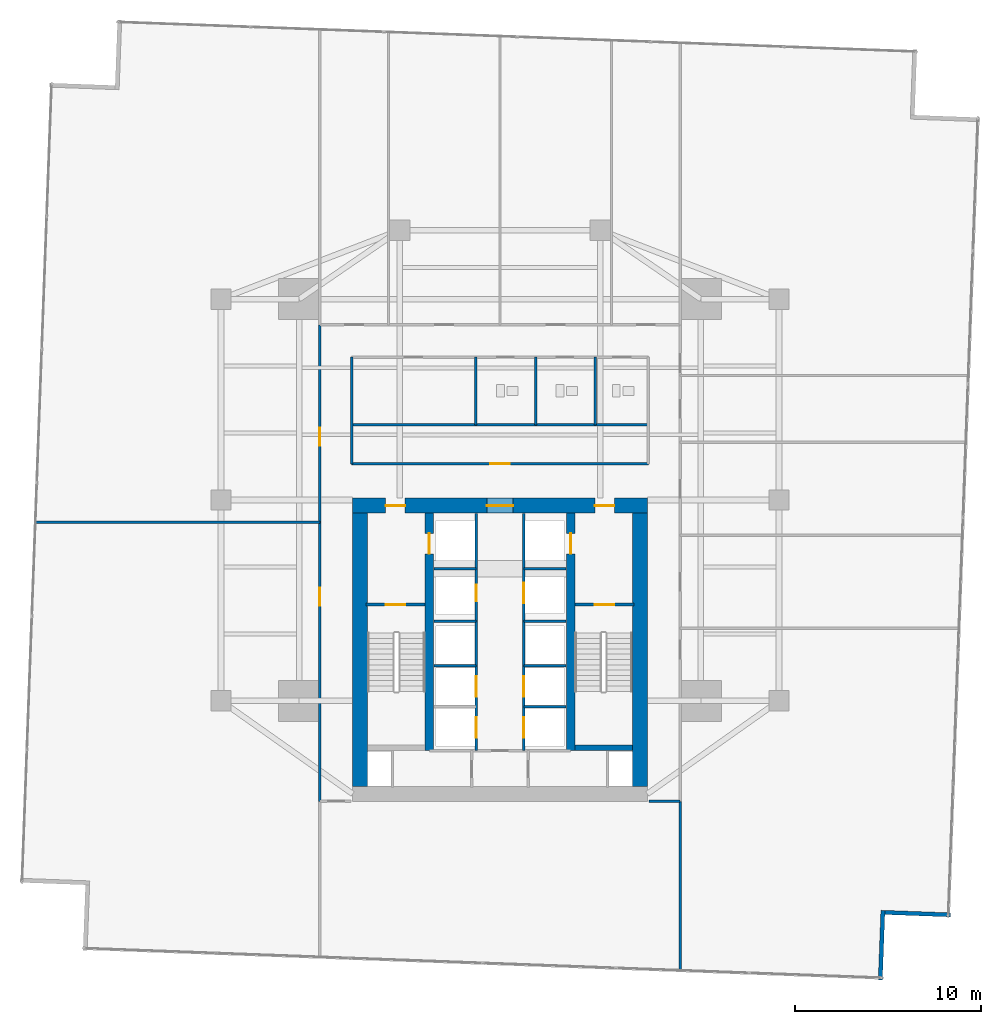
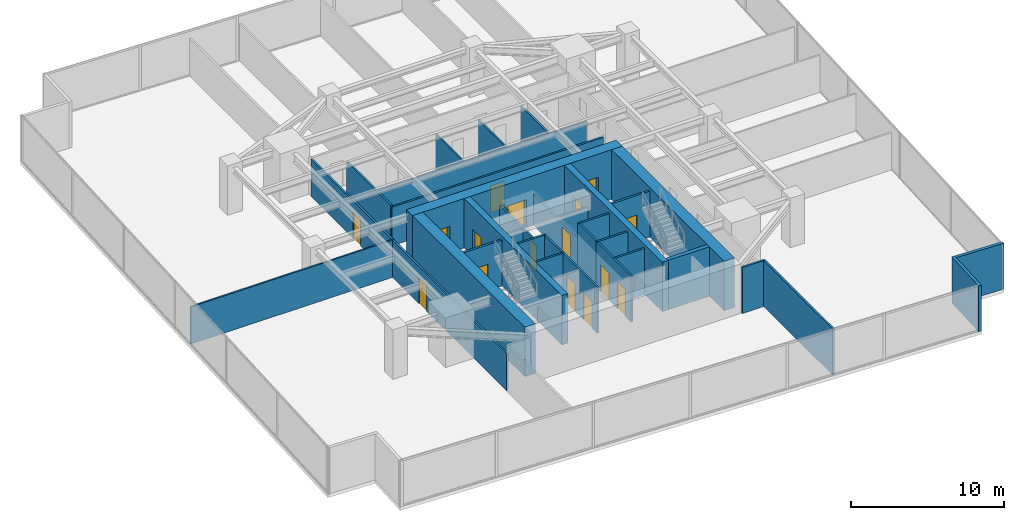
# One storey, part 27 of 30: 33 walls, 16 doors, 16 openings.
"""IFC4 building model written with IfcOpenShell, lengths in metres."""

from ifc_helpers import new_model, si_unit, direction, frame, frame_2d, origin, place, context, subcontext, project, spatial, rectangle, extrude, material, layer, layer_set, type_object, element, fill, save


model = new_model("IFC4")

# Units and contexts
model_context = context("Model", 3, precision=1e-05, world=origin(), true_north=direction((0.0, 1.0)))
body_context = subcontext(model_context, "Body", "Model", "MODEL_VIEW")
ifc_project = project(units=[si_unit("LENGTHUNIT", "METRE"), si_unit("AREAUNIT", "SQUARE_METRE"), si_unit("VOLUMEUNIT", "CUBIC_METRE"), si_unit("PLANEANGLEUNIT", "RADIAN"), si_unit("MASSUNIT", "GRAM", prefix="KILO")], contexts=[model_context])

# Site, building, storey
site_placement = place(None, origin())
site = spatial("IfcSite", under=ifc_project, at=site_placement, CompositionType="ELEMENT")
building_placement = place(site_placement, origin())
building = spatial("IfcBuilding", under=site, at=building_placement, Name="Krantzveldt Concourse Tower", CompositionType="ELEMENT")
storey_placement = place(building_placement, frame((0.0, 0.0, 40.800048828125)))
storey = spatial("IfcBuildingStorey", under=building, at=storey_placement, Name="L09", CompositionType="ELEMENT", Elevation=40.800048828125)

# Walls
ifc_material_1 = material(Name="Anodised aluminium 6063-T6", Category="aluminium")
ifc_layer_1 = layer(ifc_material_1, 0.219970703125, Name="Anodised aluminium 6063-T6", Category="aluminium")
ifc_layer_set_1 = layer_set([ifc_layer_1], Name="Anodised aluminium 6063-T6 (WL-EXT-NOTCH220)")
wall_type_1 = type_object("IfcWallType", Name="WL-EXT-NOTCH220", PredefinedType="ELEMENTEDWALL", material=ifc_layer_set_1)
wall_1_placement = place(storey_placement, frame((56.447265625, 0.899169921875, 0.0), z_axis=(0.0, 0.0, 1.0), x_axis=(0.037093640215, 0.999311794114, 0.0)))
element("IfcWall", 1, at=wall_1_placement, inside=storey, type_object=wall_type_1, Name="EW-L09-NCH05", PredefinedType="ELEMENTEDWALL", context=body_context, shape_type="SweptSolid", body=[
    extrude(rectangle(XDim=3.7451171875, YDim=0.219970703125, at=frame_2d((1.87255859375, 0.0))), origin(), (0.0, 0.0, 1.0), 3.669921875),
])
wall_2_placement = place(storey_placement, frame((56.692138671875, 4.527587890625, 0.0), z_axis=(0.0, 0.0, 1.0), x_axis=(0.99931065272, -0.037124376896, 0.0)))
element("IfcWall", 2, at=wall_2_placement, inside=storey, type_object=wall_type_1, Name="EW-L09-NCH06", PredefinedType="ELEMENTEDWALL", context=body_context, shape_type="SweptSolid", body=[
    extrude(rectangle(XDim=3.52490234375, YDim=0.219970703125, at=frame_2d((1.762451171875, 0.0))), origin(), (0.0, 0.0, 1.0), 3.669921875),
])
ifc_material_2 = material(Name="Fire-rated gypsum plasterboard on steel stud", Category="steel")
ifc_layer_2 = layer(ifc_material_2, 0.1201171875, Name="Fire-rated gypsum plasterboard on steel stud", Category="steel")
ifc_layer_set_2 = layer_set([ifc_layer_2], Name="Fire-rated gypsum plasterboard on steel stud (WL-PART-120)")
wall_type_2 = type_object("IfcWallType", Name="WL-PART-120", PredefinedType="PARTITIONING", material=ifc_layer_set_2)
wall_3_placement = place(storey_placement, frame((28.02001953125, 30.739990234375, 0.0), z_axis=(0.0, 0.0, 1.0), x_axis=(1.0, 0.0, 0.0)))
element("IfcWall", 3, at=wall_3_placement, inside=storey, type_object=wall_type_2, Name="WP-L09-ISLM", PredefinedType="PARTITIONING", context=body_context, shape_type="SweptSolid", body=[
    extrude(rectangle(XDim=15.9599609375, YDim=0.1201171875, at=frame_2d((7.97998046875, 0.0))), origin(), (0.0, 0.0, 1.0), 3.079833984375),
])
for number, where, z_axis, x_axis, name in (
    (4, (37.919921875, 30.739990234375, 0.0), (0.0, 0.0, 1.0), (0.0, 1.0, 0.0), "WP-L09-WCD1"),
    (5, (41.1201171875, 30.739990234375, 0.0), (0.0, 0.0, 1.0), (0.0, 1.0, 0.0), "WP-L09-WCD2"),
    (6, (34.699951171875, 30.739990234375, 0.0), (0.0, 0.0, 1.0), (0.0, 1.0, 0.0), "WP-L09-WCD3"),
):
    element("IfcWall", number, at=place(storey_placement, frame(where, z_axis=z_axis, x_axis=x_axis)), inside=storey, type_object=wall_type_2, Name=name, PredefinedType="PARTITIONING", context=body_context, shape_type="SweptSolid", body=[
        extrude(rectangle(XDim=3.639892578125, YDim=0.1201171875, at=frame_2d((1.81982421875, 0.0))), origin(), (0.0, 0.0, 1.0), 3.119873046875),
    ])
wall_4_placement = place(storey_placement, frame((11.0283203125, 25.5, 0.0), z_axis=(0.0, 0.0, 1.0), x_axis=(1.0, 0.0, 0.0)))
element("IfcWall", 7, at=wall_4_placement, inside=storey, type_object=wall_type_2, Name="WP-L09-WD1", PredefinedType="PARTITIONING", context=body_context, shape_type="SweptSolid", body=[
    extrude(rectangle(XDim=15.291748046875, YDim=0.1201171875, at=frame_2d((7.64599609375, 0.0))), origin(), (0.0, 0.0, 1.0), 2.969970703125),
])

# Wall, opening, door
ifc_layer_3 = layer(ifc_material_2, 0.139892578125, Name="Fire-rated gypsum plasterboard on steel stud", Category="steel")
ifc_layer_set_3 = layer_set([ifc_layer_3], Name="Fire-rated gypsum plasterboard on steel stud (WL-PART-140)")
wall_type_3 = type_object("IfcWallType", Name="WL-PART-140", PredefinedType="PARTITIONING", material=ifc_layer_set_3)
wall_5_placement = place(storey_placement, frame((28.02001953125, 28.639892578125, 0.0), z_axis=(0.0, 0.0, 1.0), x_axis=(1.0, 0.0, 0.0)))
wall_5 = element("IfcWall", 8, at=wall_5_placement, inside=storey, type_object=wall_type_3, Name="WP-L09-ISLS", PredefinedType="PARTITIONING", context=body_context, shape_type="SweptSolid", body=[
    extrude(rectangle(XDim=15.9599609375, YDim=0.139892578125, at=frame_2d((7.97998046875, 0.0))), origin(), (0.0, 0.0, 1.0), 3.079833984375),
])
opening_1_placement = place(wall_5_placement, frame((7.455078125, 0.0, 0.0)))
opening_1 = element("IfcOpeningElement", 9, at=opening_1_placement, cuts=wall_5, Name="Opening D-IN105", PredefinedType="OPENING", context=body_context, shape_type="SweptSolid", body=[
    extrude(rectangle(XDim=1.050048828125, YDim=2.14990234375, at=frame_2d((0.52490234375, 1.074951171875))), frame((0.0, 0.080078125, 0.0), z_axis=(0.0, -1.0, 0.0), x_axis=(1.0, 0.0, 0.0)), (0.0, 0.0, 1.0), 0.159912109375),
])
ifc_material_3 = material(Name="Hardwood timber", Category="wood")
door_type_1 = type_object("IfcDoorType", Name="DR-INT-1050", OperationType="SINGLE_SWING_LEFT", PredefinedType="DOOR", material=ifc_material_3)
door_1_placement = place(opening_1_placement, origin())
door_1 = element("IfcDoor", 10, at=door_1_placement, inside=storey, type_object=door_type_1, Name="DR-L09-MIDB", OperationType="SINGLE_SWING_LEFT", OverallHeight=2.14990234375, OverallWidth=1.050048828125, PredefinedType="DOOR", context=body_context, shape_type="SweptSolid", body=[
    extrude(rectangle(XDim=1.050048828125, YDim=2.14990234375, at=frame_2d((0.52490234375, 1.074951171875))), frame((0.0, 0.02490234375, 0.0), z_axis=(0.0, -1.0, 0.0), x_axis=(1.0, 0.0, 0.0)), (0.0, 0.0, 1.0), 0.050048828125),
])
fill(opening_1, door_1)

# Wall
wall_6_placement = place(storey_placement, frame((28.02001953125, 28.639892578125, 0.0), z_axis=(0.0, 0.0, 1.0), x_axis=(0.0, 1.0, 0.0)))
element("IfcWall", 11, at=wall_6_placement, inside=storey, type_object=wall_type_3, Name="WP-L09-ISLW", PredefinedType="PARTITIONING", context=body_context, shape_type="SweptSolid", body=[
    extrude(rectangle(XDim=5.739990234375, YDim=0.139892578125, at=frame_2d((2.8701171875, 0.0))), origin(), (0.0, 0.0, 1.0), 3.219970703125),
])

# Wall, openings, doors
wall_7_placement = place(storey_placement, frame((26.320068359375, 10.5, 0.0), z_axis=(0.0, 0.0, 1.0), x_axis=(0.0, 1.0, 0.0)))
wall_7 = element("IfcWall", 12, at=wall_7_placement, inside=storey, type_object=wall_type_3, Name="WP-L09-CWEST", PredefinedType="PARTITIONING", context=body_context, shape_type="SweptSolid", body=[
    extrude(rectangle(XDim=25.6201171875, YDim=0.139892578125, at=frame_2d((12.81005859375, 0.0))), origin(), (0.0, 0.0, 1.0), 2.969970703125),
])
opening_2_placement = place(wall_7_placement, frame((10.52490234375, 0.0, 0.0)))
opening_2 = element("IfcOpeningElement", 13, at=opening_2_placement, cuts=wall_7, Name="Opening D-IN095", PredefinedType="OPENING", context=body_context, shape_type="SweptSolid", body=[
    extrude(rectangle(XDim=0.949951171875, YDim=2.10009765625, at=frame_2d((0.47509765625, 1.050048828125))), frame((0.0, 0.080078125, 0.0), z_axis=(0.0, -1.0, 0.0), x_axis=(1.0, 0.0, 0.0)), (0.0, 0.0, 1.0), 0.159912109375),
])
opening_3_placement = place(wall_7_placement, frame((19.125, 0.0, 0.0)))
opening_3 = element("IfcOpeningElement", 14, at=opening_3_placement, cuts=wall_7, Name="Opening D-IN095", PredefinedType="OPENING", context=body_context, shape_type="SweptSolid", body=[
    extrude(rectangle(XDim=0.949951171875, YDim=2.10009765625, at=frame_2d((0.47509765625, 1.050048828125))), frame((0.0, 0.080078125, 0.0), z_axis=(0.0, -1.0, 0.0), x_axis=(1.0, 0.0, 0.0)), (0.0, 0.0, 1.0), 0.159912109375),
])
door_type_2 = type_object("IfcDoorType", Name="DR-INT-950", OperationType="SINGLE_SWING_LEFT", PredefinedType="DOOR", material=ifc_material_3)
door_2_placement = place(opening_2_placement, origin())
door_2 = element("IfcDoor", 15, at=door_2_placement, inside=storey, type_object=door_type_2, Name="DR-L09-WR1", OperationType="SINGLE_SWING_LEFT", OverallHeight=2.10009765625, OverallWidth=0.949951171875, PredefinedType="DOOR", context=body_context, shape_type="SweptSolid", body=[
    extrude(rectangle(XDim=0.949951171875, YDim=2.10009765625, at=frame_2d((0.47509765625, 1.050048828125))), frame((0.0, 0.02490234375, 0.0), z_axis=(0.0, -1.0, 0.0), x_axis=(1.0, 0.0, 0.0)), (0.0, 0.0, 1.0), 0.050048828125),
])
fill(opening_2, door_2)
door_3_placement = place(opening_3_placement, origin())
door_3 = element("IfcDoor", 16, at=door_3_placement, inside=storey, type_object=door_type_2, Name="DR-L09-WR2", OperationType="SINGLE_SWING_LEFT", OverallHeight=2.10009765625, OverallWidth=0.949951171875, PredefinedType="DOOR", context=body_context, shape_type="SweptSolid", body=[
    extrude(rectangle(XDim=0.949951171875, YDim=2.10009765625, at=frame_2d((0.47509765625, 1.050048828125))), frame((0.0, 0.02490234375, 0.0), z_axis=(0.0, -1.0, 0.0), x_axis=(1.0, 0.0, 0.0)), (0.0, 0.0, 1.0), 0.050048828125),
])
fill(opening_3, door_3)

# Walls
wall_8_placement = place(storey_placement, frame((44.0, 10.5, 0.0), z_axis=(0.0, 0.0, 1.0), x_axis=(1.0, 0.0, 0.0)))
element("IfcWall", 17, at=wall_8_placement, inside=storey, type_object=wall_type_3, Name="WP-L09-CEBOT", PredefinedType="PARTITIONING", context=body_context, shape_type="SweptSolid", body=[
    extrude(rectangle(XDim=1.679931640625, YDim=0.139892578125, at=frame_2d((0.83984375, 0.0))), origin(), (0.0, 0.0, 1.0), 3.669921875),
])
wall_9_placement = place(storey_placement, frame((45.679931640625, 1.413818359375, 0.0), z_axis=(0.0, 0.0, 1.0), x_axis=(0.0, 1.0, 0.0)))
element("IfcWall", 18, at=wall_9_placement, inside=storey, type_object=wall_type_3, Name="WP-L09-SER", PredefinedType="PARTITIONING", context=body_context, shape_type="SweptSolid", body=[
    extrude(rectangle(XDim=9.086181640625, YDim=0.139892578125, at=frame_2d((4.54296875, 0.0))), origin(), (0.0, 0.0, 1.0), 3.669921875),
])

# Wall, opening, door
ifc_layer_4 = layer(ifc_material_2, 0.139892578125, Name="Fire-rated gypsum plasterboard on steel stud", Category="steel")
ifc_layer_set_4 = layer_set([ifc_layer_4], Name="Fire-rated gypsum plasterboard on steel stud (WL-PART-FR140)")
wall_type_4 = type_object("IfcWallType", Name="WL-PART-FR140", PredefinedType="PARTITIONING", material=ifc_layer_set_4)
wall_10_placement = place(storey_placement, frame((34.719970703125, 20.199951171875, 0.0), z_axis=(0.0, 0.0, 1.0), x_axis=(0.0, 1.0, 0.0)))
wall_10 = element("IfcWall", 19, at=wall_10_placement, inside=storey, type_object=wall_type_4, Name="WP-L09-SHNW", PredefinedType="PARTITIONING", context=body_context, shape_type="SweptSolid", body=[
    extrude(rectangle(XDim=5.780029296875, YDim=0.139892578125, at=frame_2d((2.89013671875, 0.0))), origin(), (0.0, 0.0, 1.0), 2.469970703125),
])
opening_4_placement = place(wall_10_placement, frame((1.050048828125, 0.0, 0.0)))
opening_4 = element("IfcOpeningElement", 20, at=opening_4_placement, cuts=wall_10, Name="Opening D-FD090", PredefinedType="OPENING", context=body_context, shape_type="SweptSolid", body=[
    extrude(rectangle(XDim=0.89990234375, YDim=2.10009765625, at=frame_2d((0.449951171875, 1.050048828125))), frame((0.0, 0.080078125, 0.0), z_axis=(0.0, -1.0, 0.0), x_axis=(1.0, 0.0, 0.0)), (0.0, 0.0, 1.0), 0.159912109375),
])
door_type_3 = type_object("IfcDoorType", Name="DR-FD60-900", OperationType="SINGLE_SWING_LEFT", PredefinedType="DOOR", material=ifc_material_3)
door_4_placement = place(opening_4_placement, origin())
door_4 = element("IfcDoor", 21, at=door_4_placement, inside=storey, type_object=door_type_3, Name="Electrical Riser Access Door L09", OperationType="SINGLE_SWING_LEFT", OverallHeight=2.10009765625, OverallWidth=0.89990234375, PredefinedType="DOOR", context=body_context, shape_type="SweptSolid", body=[
    extrude(rectangle(XDim=0.89990234375, YDim=2.10009765625, at=frame_2d((0.449951171875, 1.050048828125))), frame((0.0, 0.02490234375, 0.0), z_axis=(0.0, -1.0, 0.0), x_axis=(1.0, 0.0, 0.0)), (0.0, 0.0, 1.0), 0.050048828125),
])
fill(opening_4, door_4)

wall_11_placement = place(storey_placement, frame((37.280029296875, 20.199951171875, 0.0), z_axis=(0.0, 0.0, 1.0), x_axis=(0.0, 1.0, 0.0)))
wall_11 = element("IfcWall", 22, at=wall_11_placement, inside=storey, type_object=wall_type_4, Name="WP-L09-SHNE", PredefinedType="PARTITIONING", context=body_context, shape_type="SweptSolid", body=[
    extrude(rectangle(XDim=5.780029296875, YDim=0.139892578125, at=frame_2d((2.89013671875, 0.0))), origin(), (0.0, 0.0, 1.0), 2.469970703125),
])
opening_5_placement = place(wall_11_placement, frame((0.949951171875, 0.0, 0.0)))
opening_5 = element("IfcOpeningElement", 23, at=opening_5_placement, cuts=wall_11, Name="Opening LD", PredefinedType="OPENING", context=body_context, shape_type="SweptSolid", body=[
    extrude(rectangle(XDim=1.10009765625, YDim=2.14990234375, at=frame_2d((0.550048828125, 1.074951171875))), frame((0.0, 0.080078125, 0.0), z_axis=(0.0, -1.0, 0.0), x_axis=(1.0, 0.0, 0.0)), (0.0, 0.0, 1.0), 0.159912109375),
])
ifc_material_4 = material(Name="Stainless steel 316L", Category="steel")
door_type_4 = type_object("IfcDoorType", Name="DR-SLIDE-LD1100", OperationType="DOUBLE_DOOR_SLIDING", PredefinedType="DOOR", material=ifc_material_4)
door_5_placement = place(opening_5_placement, origin())
door_5 = element("IfcDoor", 24, at=door_5_placement, inside=storey, type_object=door_type_4, Name="LD-L09-GL1", OperationType="DOUBLE_DOOR_SLIDING", OverallHeight=2.14990234375, OverallWidth=1.10009765625, PredefinedType="DOOR", context=body_context, shape_type="SweptSolid", body=[
    extrude(rectangle(XDim=1.10009765625, YDim=2.14990234375, at=frame_2d((0.550048828125, 1.074951171875))), frame((0.0, 0.02490234375, 0.0), z_axis=(0.0, -1.0, 0.0), x_axis=(1.0, 0.0, 0.0)), (0.0, 0.0, 1.0), 0.050048828125),
])
fill(opening_5, door_5)

# Walls
for number, where, z_axis, x_axis, name in (
    (25, (32.449951171875, 23.0, 0.0), (0.0, 0.0, 1.0), (1.0, 0.0, 0.0), "WP-L09-RISH"),
    (26, (37.280029296875, 23.0, 0.0), (0.0, 0.0, 1.0), (1.0, 0.0, 0.0), "WP-L09-GLH"),
):
    element("IfcWall", number, at=place(storey_placement, frame(where, z_axis=z_axis, x_axis=x_axis)), inside=storey, type_object=wall_type_4, Name=name, PredefinedType="PARTITIONING", context=body_context, shape_type="SweptSolid", body=[
        extrude(rectangle(XDim=2.27001953125, YDim=0.139892578125, at=frame_2d((1.135009765625, 0.0))), origin(), (0.0, 0.0, 1.0), 2.469970703125),
    ])
for number, where, z_axis, x_axis, name in (
    (27, (34.719970703125, 17.780029296875, 0.0), (0.0, 0.0, 1.0), (0.0, 1.0, 0.0), "WP-L09-SHNW2"),
    (28, (37.280029296875, 17.780029296875, 0.0), (0.0, 0.0, 1.0), (0.0, 1.0, 0.0), "WP-L09-SHNE2"),
):
    element("IfcWall", number, at=place(storey_placement, frame(where, z_axis=z_axis, x_axis=x_axis)), inside=storey, type_object=wall_type_4, Name=name, PredefinedType="PARTITIONING", context=body_context, shape_type="SweptSolid", body=[
        extrude(rectangle(XDim=2.419921875, YDim=0.139892578125, at=frame_2d((1.2099609375, 0.0))), origin(), (0.0, 0.0, 1.0), 3.669921875),
    ])
for number, where, z_axis, x_axis, name in (
    (29, (32.449951171875, 17.780029296875, 0.0), (0.0, 0.0, 1.0), (1.0, 0.0, 0.0), "WP-L09-DIVW2"),
    (30, (32.449951171875, 20.179931640625, 0.0), (0.0, 0.0, 1.0), (1.0, 0.0, 0.0), "WP-L09-DIVW3"),
    (31, (37.280029296875, 17.780029296875, 0.0), (0.0, 0.0, 1.0), (1.0, 0.0, 0.0), "WP-L09-DIVE2"),
    (32, (37.280029296875, 20.179931640625, 0.0), (0.0, 0.0, 1.0), (1.0, 0.0, 0.0), "WP-L09-DIVE3"),
):
    element("IfcWall", number, at=place(storey_placement, frame(where, z_axis=z_axis, x_axis=x_axis)), inside=storey, type_object=wall_type_4, Name=name, PredefinedType="PARTITIONING", context=body_context, shape_type="SweptSolid", body=[
        extrude(rectangle(XDim=2.27001953125, YDim=0.139892578125, at=frame_2d((1.135009765625, 0.0))), origin(), (0.0, 0.0, 1.0), 3.669921875),
    ])

# Wall, openings, doors
wall_12_placement = place(storey_placement, frame((34.719970703125, 13.219970703125, 0.0), z_axis=(0.0, 0.0, 1.0), x_axis=(0.0, 1.0, 0.0)))
wall_12 = element("IfcWall", 33, at=wall_12_placement, inside=storey, type_object=wall_type_4, Name="WP-L09-SHSW", PredefinedType="PARTITIONING", context=body_context, shape_type="SweptSolid", body=[
    extrude(rectangle(XDim=4.56005859375, YDim=0.139892578125, at=frame_2d((2.280029296875, 0.0))), origin(), (0.0, 0.0, 1.0), 3.669921875),
])
opening_6_placement = place(wall_12_placement, frame((0.7099609375, 0.0, 0.0)))
opening_6 = element("IfcOpeningElement", 34, at=opening_6_placement, cuts=wall_12, Name="Opening LD", PredefinedType="OPENING", context=body_context, shape_type="SweptSolid", body=[
    extrude(rectangle(XDim=1.10009765625, YDim=2.14990234375, at=frame_2d((0.550048828125, 1.074951171875))), frame((0.0, 0.080078125, 0.0), z_axis=(0.0, -1.0, 0.0), x_axis=(1.0, 0.0, 0.0)), (0.0, 0.0, 1.0), 0.159912109375),
])
opening_7_placement = place(wall_12_placement, frame((2.909912109375, 0.0, 0.0)))
opening_7 = element("IfcOpeningElement", 35, at=opening_7_placement, cuts=wall_12, Name="Opening LD", PredefinedType="OPENING", context=body_context, shape_type="SweptSolid", body=[
    extrude(rectangle(XDim=1.10009765625, YDim=2.14990234375, at=frame_2d((0.550048828125, 1.074951171875))), frame((0.0, 0.080078125, 0.0), z_axis=(0.0, -1.0, 0.0), x_axis=(1.0, 0.0, 0.0)), (0.0, 0.0, 1.0), 0.159912109375),
])
door_6_placement = place(opening_6_placement, origin())
door_6 = element("IfcDoor", 36, at=door_6_placement, inside=storey, type_object=door_type_4, Name="LD-L09-PL1", OperationType="DOUBLE_DOOR_SLIDING", OverallHeight=2.14990234375, OverallWidth=1.10009765625, PredefinedType="DOOR", context=body_context, shape_type="SweptSolid", body=[
    extrude(rectangle(XDim=1.10009765625, YDim=2.14990234375, at=frame_2d((0.550048828125, 1.074951171875))), frame((0.0, 0.02490234375, 0.0), z_axis=(0.0, -1.0, 0.0), x_axis=(1.0, 0.0, 0.0)), (0.0, 0.0, 1.0), 0.050048828125),
])
fill(opening_6, door_6)
door_7_placement = place(opening_7_placement, origin())
door_7 = element("IfcDoor", 37, at=door_7_placement, inside=storey, type_object=door_type_4, Name="LD-L09-PL2", OperationType="DOUBLE_DOOR_SLIDING", OverallHeight=2.14990234375, OverallWidth=1.10009765625, PredefinedType="DOOR", context=body_context, shape_type="SweptSolid", body=[
    extrude(rectangle(XDim=1.10009765625, YDim=2.14990234375, at=frame_2d((0.550048828125, 1.074951171875))), frame((0.0, 0.02490234375, 0.0), z_axis=(0.0, -1.0, 0.0), x_axis=(1.0, 0.0, 0.0)), (0.0, 0.0, 1.0), 0.050048828125),
])
fill(opening_7, door_7)

wall_13_placement = place(storey_placement, frame((37.280029296875, 13.219970703125, 0.0), z_axis=(0.0, 0.0, 1.0), x_axis=(0.0, 1.0, 0.0)))
wall_13 = element("IfcWall", 38, at=wall_13_placement, inside=storey, type_object=wall_type_4, Name="WP-L09-SHSE", PredefinedType="PARTITIONING", context=body_context, shape_type="SweptSolid", body=[
    extrude(rectangle(XDim=4.56005859375, YDim=0.139892578125, at=frame_2d((2.280029296875, 0.0))), origin(), (0.0, 0.0, 1.0), 3.669921875),
])
opening_8_placement = place(wall_13_placement, frame((0.7099609375, 0.0, 0.0)))
opening_8 = element("IfcOpeningElement", 39, at=opening_8_placement, cuts=wall_13, Name="Opening LD", PredefinedType="OPENING", context=body_context, shape_type="SweptSolid", body=[
    extrude(rectangle(XDim=1.10009765625, YDim=2.14990234375, at=frame_2d((0.550048828125, 1.074951171875))), frame((0.0, 0.080078125, 0.0), z_axis=(0.0, -1.0, 0.0), x_axis=(1.0, 0.0, 0.0)), (0.0, 0.0, 1.0), 0.159912109375),
])
opening_9_placement = place(wall_13_placement, frame((2.909912109375, 0.0, 0.0)))
opening_9 = element("IfcOpeningElement", 40, at=opening_9_placement, cuts=wall_13, Name="Opening LD", PredefinedType="OPENING", context=body_context, shape_type="SweptSolid", body=[
    extrude(rectangle(XDim=1.10009765625, YDim=2.14990234375, at=frame_2d((0.550048828125, 1.074951171875))), frame((0.0, 0.080078125, 0.0), z_axis=(0.0, -1.0, 0.0), x_axis=(1.0, 0.0, 0.0)), (0.0, 0.0, 1.0), 0.159912109375),
])
door_8_placement = place(opening_8_placement, origin())
door_8 = element("IfcDoor", 41, at=door_8_placement, inside=storey, type_object=door_type_4, Name="LD-L09-PM1", OperationType="DOUBLE_DOOR_SLIDING", OverallHeight=2.14990234375, OverallWidth=1.10009765625, PredefinedType="DOOR", context=body_context, shape_type="SweptSolid", body=[
    extrude(rectangle(XDim=1.10009765625, YDim=2.14990234375, at=frame_2d((0.550048828125, 1.074951171875))), frame((0.0, 0.02490234375, 0.0), z_axis=(0.0, -1.0, 0.0), x_axis=(1.0, 0.0, 0.0)), (0.0, 0.0, 1.0), 0.050048828125),
])
fill(opening_8, door_8)
door_9_placement = place(opening_9_placement, origin())
door_9 = element("IfcDoor", 42, at=door_9_placement, inside=storey, type_object=door_type_4, Name="LD-L09-PM2", OperationType="DOUBLE_DOOR_SLIDING", OverallHeight=2.14990234375, OverallWidth=1.10009765625, PredefinedType="DOOR", context=body_context, shape_type="SweptSolid", body=[
    extrude(rectangle(XDim=1.10009765625, YDim=2.14990234375, at=frame_2d((0.550048828125, 1.074951171875))), frame((0.0, 0.02490234375, 0.0), z_axis=(0.0, -1.0, 0.0), x_axis=(1.0, 0.0, 0.0)), (0.0, 0.0, 1.0), 0.050048828125),
])
fill(opening_9, door_9)

# Wall
wall_14_placement = place(storey_placement, frame((37.280029296875, 15.580078125, 0.0), z_axis=(0.0, 0.0, 1.0), x_axis=(1.0, 0.0, 0.0)))
element("IfcWall", 43, at=wall_14_placement, inside=storey, type_object=wall_type_4, Name="WP-L09-DIVE1", PredefinedType="PARTITIONING", context=body_context, shape_type="SweptSolid", body=[
    extrude(rectangle(XDim=2.27001953125, YDim=0.139892578125, at=frame_2d((1.135009765625, 0.0))), origin(), (0.0, 0.0, 1.0), 3.669921875),
])

# Wall, opening, door
ifc_layer_5 = layer(ifc_material_2, 0.159912109375, Name="Fire-rated gypsum plasterboard on steel stud", Category="steel")
ifc_layer_set_5 = layer_set([ifc_layer_5], Name="Fire-rated gypsum plasterboard on steel stud (WL-PART-FR160)")
wall_type_5 = type_object("IfcWallType", Name="WL-PART-FR160", PredefinedType="PARTITIONING", material=ifc_layer_set_5)
wall_15_placement = place(storey_placement, frame((28.800048828125, 21.080078125, 0.0), z_axis=(0.0, 0.0, 1.0), x_axis=(1.0, 0.0, 0.0)))
wall_15 = element("IfcWall", 44, at=wall_15_placement, inside=storey, type_object=wall_type_5, Name="WP-L09-ST1", PredefinedType="PARTITIONING", context=body_context, shape_type="SweptSolid", body=[
    extrude(rectangle(XDim=3.159912109375, YDim=0.159912109375, at=frame_2d((1.580078125, 0.0))), origin(), (0.0, 0.0, 1.0), 3.669921875),
])
opening_10_placement = place(wall_15_placement, frame((1.054931640625, 0.0, 0.0)))
opening_10 = element("IfcOpeningElement", 45, at=opening_10_placement, cuts=wall_15, Name="Opening D-FD105", PredefinedType="OPENING", context=body_context, shape_type="SweptSolid", body=[
    extrude(rectangle(XDim=1.050048828125, YDim=2.10009765625, at=frame_2d((0.52490234375, 1.050048828125))), frame((0.0, 0.08984375, 0.0), z_axis=(0.0, -1.0, 0.0), x_axis=(1.0, 0.0, 0.0)), (0.0, 0.0, 1.0), 0.179931640625),
])
ifc_material_5 = material(Name="Galvanised steel", Category="steel")
door_type_5 = type_object("IfcDoorType", Name="DR-FD120-1050", OperationType="SINGLE_SWING_LEFT", PredefinedType="DOOR", material=ifc_material_5)
door_10_placement = place(opening_10_placement, origin())
door_10 = element("IfcDoor", 46, at=door_10_placement, inside=storey, type_object=door_type_5, Name="DR-L09-ST1", OperationType="SINGLE_SWING_RIGHT", OverallHeight=2.10009765625, OverallWidth=1.050048828125, PredefinedType="DOOR", context=body_context, shape_type="SweptSolid", body=[
    extrude(rectangle(XDim=1.050048828125, YDim=2.10009765625, at=frame_2d((0.52490234375, 1.050048828125))), frame((0.0, 0.02490234375, 0.0), z_axis=(0.0, -1.0, 0.0), x_axis=(1.0, 0.0, 0.0)), (0.0, 0.0, 1.0), 0.050048828125),
])
fill(opening_10, door_10)

wall_16_placement = place(storey_placement, frame((40.0400390625, 21.080078125, 0.0), z_axis=(0.0, 0.0, 1.0), x_axis=(1.0, 0.0, 0.0)))
wall_16 = element("IfcWall", 47, at=wall_16_placement, inside=storey, type_object=wall_type_5, Name="WP-L09-ST2", PredefinedType="PARTITIONING", context=body_context, shape_type="SweptSolid", body=[
    extrude(rectangle(XDim=3.159912109375, YDim=0.159912109375, at=frame_2d((1.580078125, 0.0))), origin(), (0.0, 0.0, 1.0), 3.669921875),
])
opening_11_placement = place(wall_16_placement, frame((1.054931640625, 0.0, 0.0)))
opening_11 = element("IfcOpeningElement", 48, at=opening_11_placement, cuts=wall_16, Name="Opening D-FD105", PredefinedType="OPENING", context=body_context, shape_type="SweptSolid", body=[
    extrude(rectangle(XDim=1.050048828125, YDim=2.10009765625, at=frame_2d((0.52490234375, 1.050048828125))), frame((0.0, 0.08984375, 0.0), z_axis=(0.0, -1.0, 0.0), x_axis=(1.0, 0.0, 0.0)), (0.0, 0.0, 1.0), 0.179931640625),
])
door_11_placement = place(opening_11_placement, origin())
door_11 = element("IfcDoor", 49, at=door_11_placement, inside=storey, type_object=door_type_5, Name="DR-L09-ST2", OperationType="SINGLE_SWING_LEFT", OverallHeight=2.10009765625, OverallWidth=1.050048828125, PredefinedType="DOOR", context=body_context, shape_type="SweptSolid", body=[
    extrude(rectangle(XDim=1.050048828125, YDim=2.10009765625, at=frame_2d((0.52490234375, 1.050048828125))), frame((0.0, 0.02490234375, 0.0), z_axis=(0.0, -1.0, 0.0), x_axis=(1.0, 0.0, 0.0)), (0.0, 0.0, 1.0), 0.050048828125),
])
fill(opening_11, door_11)

# Wall
ifc_material_6 = material(Name="Concrete C50/60", Category="concrete")
ifc_layer_6 = layer(ifc_material_6, 0.300048828125, Name="Concrete C50/60", Category="concrete")
ifc_layer_set_6 = layer_set([ifc_layer_6], Name="Concrete C50/60 (WL-SHEAR-300)")
wall_type_6 = type_object("IfcWallType", Name="WL-SHEAR-300", PredefinedType="SHEAR", material=ifc_layer_set_6)
wall_17_placement = place(storey_placement, frame((40.02001953125, 13.3701171875, 0.0), z_axis=(0.0, 0.0, 1.0), x_axis=(1.0, 0.0, 0.0)))
element("IfcWall", 50, at=wall_17_placement, inside=storey, type_object=wall_type_6, Name="CW-L09-ST2S", PredefinedType="SHEAR", context=body_context, shape_type="SweptSolid", body=[
    extrude(rectangle(XDim=3.10009765625, YDim=0.300048828125, at=frame_2d((1.550048828125, 0.0))), origin(), (0.0, 0.0, 1.0), 3.949951171875),
])

# Wall, opening, door
ifc_layer_7 = layer(ifc_material_6, 0.449951171875, Name="Concrete C50/60", Category="concrete")
ifc_layer_set_7 = layer_set([ifc_layer_7], Name="Concrete C50/60 (WL-SHEAR-450)")
wall_type_7 = type_object("IfcWallType", Name="WL-SHEAR-450", PredefinedType="SHEAR", material=ifc_layer_set_7)
wall_18_placement = place(storey_placement, frame((32.205078125, 13.219970703125, 0.0), z_axis=(0.0, 0.0, 1.0), x_axis=(0.0, 1.0, 0.0)))
wall_18 = element("IfcWall", 51, at=wall_18_placement, inside=storey, type_object=wall_type_7, Name="CW-L09-IW", PredefinedType="SHEAR", context=body_context, shape_type="SweptSolid", body=[
    extrude(rectangle(XDim=12.780029296875, YDim=0.449951171875, at=frame_2d((6.39013671875, 0.0))), origin(), (0.0, 0.0, 1.0), 3.949951171875),
])
opening_12_placement = place(wall_18_placement, frame((10.580078125, 0.0, 0.0)))
opening_12 = element("IfcOpeningElement", 52, at=opening_12_placement, cuts=wall_18, Name="Opening LD", PredefinedType="OPENING", context=body_context, shape_type="SweptSolid", body=[
    extrude(rectangle(XDim=1.10009765625, YDim=2.14990234375, at=frame_2d((0.550048828125, 1.074951171875))), frame((0.0, 0.23486328125, 0.0), z_axis=(0.0, -1.0, 0.0), x_axis=(1.0, 0.0, 0.0)), (0.0, 0.0, 1.0), 0.469970703125),
])
door_12_placement = place(opening_12_placement, origin())
door_12 = element("IfcDoor", 53, at=door_12_placement, inside=storey, type_object=door_type_4, Name="LD-L09-FL1", OperationType="DOUBLE_DOOR_SLIDING", OverallHeight=2.14990234375, OverallWidth=1.10009765625, PredefinedType="DOOR", context=body_context, shape_type="SweptSolid", body=[
    extrude(rectangle(XDim=1.10009765625, YDim=2.14990234375, at=frame_2d((0.550048828125, 1.074951171875))), frame((0.0, 0.02490234375, 0.0), z_axis=(0.0, -1.0, 0.0), x_axis=(1.0, 0.0, 0.0)), (0.0, 0.0, 1.0), 0.050048828125),
])
fill(opening_12, door_12)

wall_19_placement = place(storey_placement, frame((39.794921875, 13.219970703125, 0.0), z_axis=(0.0, 0.0, 1.0), x_axis=(0.0, 1.0, 0.0)))
wall_19 = element("IfcWall", 54, at=wall_19_placement, inside=storey, type_object=wall_type_7, Name="CW-L09-IE", PredefinedType="SHEAR", context=body_context, shape_type="SweptSolid", body=[
    extrude(rectangle(XDim=12.780029296875, YDim=0.449951171875, at=frame_2d((6.39013671875, 0.0))), origin(), (0.0, 0.0, 1.0), 3.949951171875),
])
opening_13_placement = place(wall_19_placement, frame((10.580078125, 0.0, 0.0)))
opening_13 = element("IfcOpeningElement", 55, at=opening_13_placement, cuts=wall_19, Name="Opening LD", PredefinedType="OPENING", context=body_context, shape_type="SweptSolid", body=[
    extrude(rectangle(XDim=1.10009765625, YDim=2.14990234375, at=frame_2d((0.550048828125, 1.074951171875))), frame((0.0, 0.23486328125, 0.0), z_axis=(0.0, -1.0, 0.0), x_axis=(1.0, 0.0, 0.0)), (0.0, 0.0, 1.0), 0.469970703125),
])
door_13_placement = place(opening_13_placement, origin())
door_13 = element("IfcDoor", 56, at=door_13_placement, inside=storey, type_object=door_type_4, Name="LD-L09-FL2", OperationType="DOUBLE_DOOR_SLIDING", OverallHeight=2.14990234375, OverallWidth=1.10009765625, PredefinedType="DOOR", context=body_context, shape_type="SweptSolid", body=[
    extrude(rectangle(XDim=1.10009765625, YDim=2.14990234375, at=frame_2d((0.550048828125, 1.074951171875))), frame((0.0, 0.02490234375, 0.0), z_axis=(0.0, -1.0, 0.0), x_axis=(1.0, 0.0, 0.0)), (0.0, 0.0, 1.0), 0.050048828125),
])
fill(opening_13, door_13)

# Wall, openings, doors
ifc_material_7 = material(Name="Concrete C60/75", Category="concrete")
ifc_layer_8 = layer(ifc_material_7, 0.800048828125, Name="Concrete C60/75", Category="concrete")
ifc_layer_set_8 = layer_set([ifc_layer_8], Name="Concrete C60/75 (WL-SHEAR-800)")
wall_type_8 = type_object("IfcWallType", Name="WL-SHEAR-800", PredefinedType="SHEAR", material=ifc_layer_set_8)
wall_20_placement = place(storey_placement, frame((28.080078125, 26.39990234375, 0.0), z_axis=(0.0, 0.0, 1.0), x_axis=(1.0, 0.0, 0.0)))
wall_20 = element("IfcWall", 57, at=wall_20_placement, inside=storey, type_object=wall_type_8, Name="CW-L09-N", PredefinedType="SHEAR", context=body_context, shape_type="SweptSolid", body=[
    extrude(rectangle(XDim=15.83984375, YDim=0.800048828125, at=frame_2d((7.919921875, 0.0))), origin(), (0.0, 0.0, 1.0), 3.949951171875),
])
opening_14_placement = place(wall_20_placement, frame((7.219970703125, 0.0, 0.0)))
opening_14 = element("IfcOpeningElement", 58, at=opening_14_placement, cuts=wall_20, Name="Opening D-DB140", PredefinedType="OPENING", context=body_context, shape_type="SweptSolid", body=[
    extrude(rectangle(XDim=1.39990234375, YDim=2.199951171875, at=frame_2d((0.699951171875, 1.10009765625))), frame((0.0, 0.41015625, 0.0), z_axis=(0.0, -1.0, 0.0), x_axis=(1.0, 0.0, 0.0)), (0.0, 0.0, 1.0), 0.820068359375),
])
opening_15_placement = place(wall_20_placement, frame((1.77490234375, 0.0, 0.0)))
opening_15 = element("IfcOpeningElement", 59, at=opening_15_placement, cuts=wall_20, Name="Opening D-FD105", PredefinedType="OPENING", context=body_context, shape_type="SweptSolid", body=[
    extrude(rectangle(XDim=1.050048828125, YDim=2.10009765625, at=frame_2d((0.52490234375, 1.050048828125))), frame((0.0, 0.41015625, 0.0), z_axis=(0.0, -1.0, 0.0), x_axis=(1.0, 0.0, 0.0)), (0.0, 0.0, 1.0), 0.820068359375),
])
opening_16_placement = place(wall_20_placement, frame((13.014892578125, 0.0, 0.0)))
opening_16 = element("IfcOpeningElement", 60, at=opening_16_placement, cuts=wall_20, Name="Opening D-FD105", PredefinedType="OPENING", context=body_context, shape_type="SweptSolid", body=[
    extrude(rectangle(XDim=1.050048828125, YDim=2.10009765625, at=frame_2d((0.52490234375, 1.050048828125))), frame((0.0, 0.41015625, 0.0), z_axis=(0.0, -1.0, 0.0), x_axis=(1.0, 0.0, 0.0)), (0.0, 0.0, 1.0), 0.820068359375),
])
door_type_6 = type_object("IfcDoorType", Name="DR-DBL-1400", OperationType="DOUBLE_DOOR_SINGLE_SWING", PredefinedType="DOOR", material=ifc_material_1)
door_14_placement = place(opening_14_placement, origin())
door_14 = element("IfcDoor", 61, at=door_14_placement, inside=storey, type_object=door_type_6, Name="DR-L09-LLB", OperationType="DOUBLE_DOOR_SINGLE_SWING", OverallHeight=2.199951171875, OverallWidth=1.39990234375, PredefinedType="DOOR", context=body_context, shape_type="SweptSolid", body=[
    extrude(rectangle(XDim=1.39990234375, YDim=2.199951171875, at=frame_2d((0.699951171875, 1.10009765625))), frame((0.0, 0.02490234375, 0.0), z_axis=(0.0, -1.0, 0.0), x_axis=(1.0, 0.0, 0.0)), (0.0, 0.0, 1.0), 0.050048828125),
])
fill(opening_14, door_14)
door_15_placement = place(opening_15_placement, origin())
door_15 = element("IfcDoor", 62, at=door_15_placement, inside=storey, type_object=door_type_5, Name="DR-L09-FFL1", OperationType="SINGLE_SWING_LEFT", OverallHeight=2.10009765625, OverallWidth=1.050048828125, PredefinedType="DOOR", context=body_context, shape_type="SweptSolid", body=[
    extrude(rectangle(XDim=1.050048828125, YDim=2.10009765625, at=frame_2d((0.52490234375, 1.050048828125))), frame((0.0, 0.02490234375, 0.0), z_axis=(0.0, -1.0, 0.0), x_axis=(1.0, 0.0, 0.0)), (0.0, 0.0, 1.0), 0.050048828125),
])
fill(opening_15, door_15)
door_16_placement = place(opening_16_placement, origin())
door_16 = element("IfcDoor", 63, at=door_16_placement, inside=storey, type_object=door_type_5, Name="DR-L09-FFL2", OperationType="SINGLE_SWING_RIGHT", OverallHeight=2.10009765625, OverallWidth=1.050048828125, PredefinedType="DOOR", context=body_context, shape_type="SweptSolid", body=[
    extrude(rectangle(XDim=1.050048828125, YDim=2.10009765625, at=frame_2d((0.52490234375, 1.050048828125))), frame((0.0, 0.02490234375, 0.0), z_axis=(0.0, -1.0, 0.0), x_axis=(1.0, 0.0, 0.0)), (0.0, 0.0, 1.0), 0.050048828125),
])
fill(opening_16, door_16)

# Walls
for number, where, z_axis, x_axis, name in (
    (64, (28.47998046875, 11.300048828125, 0.0), (0.0, 0.0, 1.0), (0.0, 1.0, 0.0), "CW-L09-W"),
    (65, (43.52001953125, 11.300048828125, 0.0), (0.0, 0.0, 1.0), (0.0, 1.0, 0.0), "CW-L09-E"),
):
    element("IfcWall", number, at=place(storey_placement, frame(where, z_axis=z_axis, x_axis=x_axis)), inside=storey, type_object=wall_type_8, Name=name, PredefinedType="SHEAR", context=body_context, shape_type="SweptSolid", body=[
        extrude(rectangle(XDim=14.699951171875, YDim=0.800048828125, at=frame_2d((7.35009765625, 0.0))), origin(), (0.0, 0.0, 1.0), 3.949951171875),
    ])

save(model, "model.ifc")
